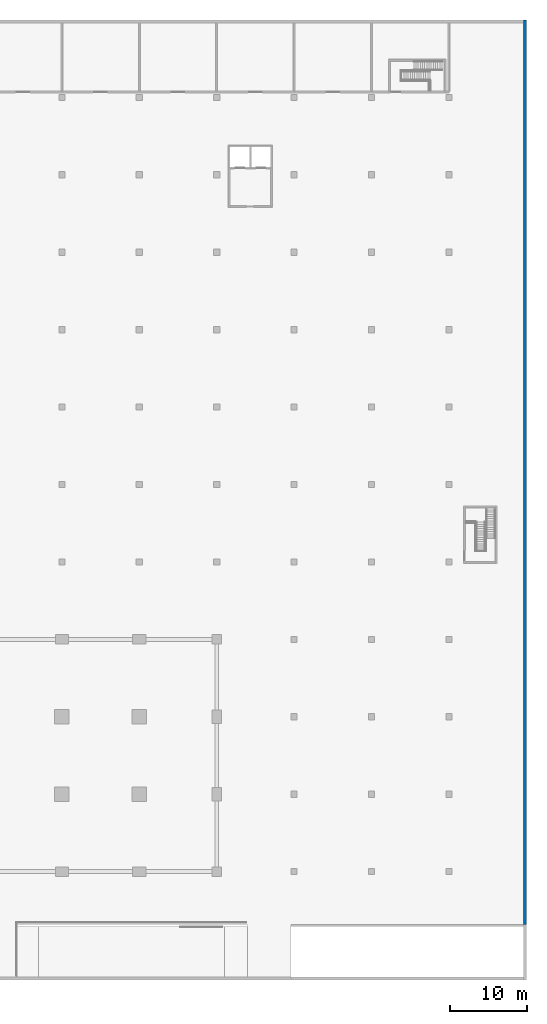
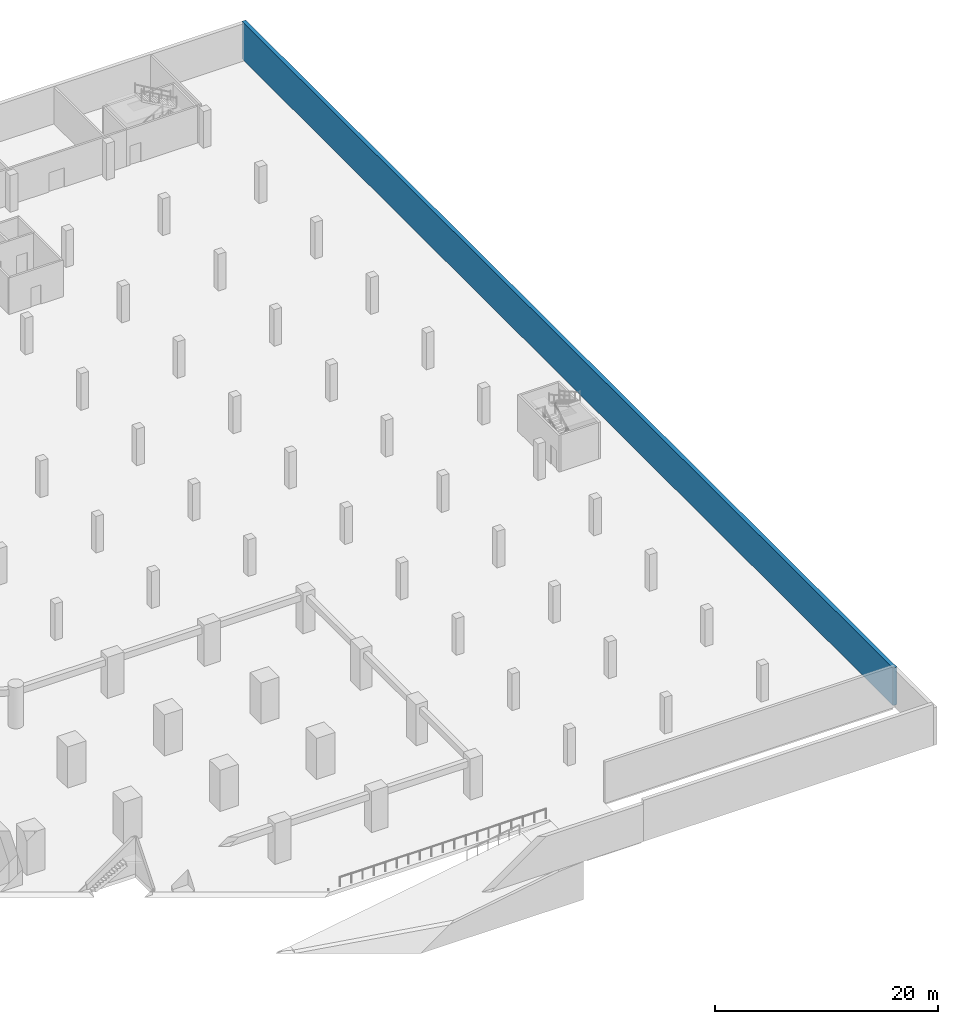
# One storey, part 11 of 19: 1 wall.
"""IFC4 building model written with IfcOpenShell, lengths in metres."""

from ifc_helpers import new_model, si_unit, direction, frame, frame_2d, origin, place, context, subcontext, project, spatial, rectangle, extrude, material, layer, layer_set, type_object, element, save


model = new_model("IFC4")

# Units and contexts
model_context = context("Model", 3, precision=1e-05, world=origin(), true_north=direction((0.0, 1.0)))
body_context = subcontext(model_context, "Body", "Model", "MODEL_VIEW")
ifc_project = project(units=[si_unit("LENGTHUNIT", "METRE"), si_unit("AREAUNIT", "SQUARE_METRE"), si_unit("VOLUMEUNIT", "CUBIC_METRE"), si_unit("PLANEANGLEUNIT", "RADIAN"), si_unit("MASSUNIT", "GRAM", prefix="KILO")], contexts=[model_context])

# Site, building, storey
site_placement = place(None, origin())
site = spatial("IfcSite", under=ifc_project, at=site_placement, CompositionType="ELEMENT")
building_placement = place(site_placement, origin())
building = spatial("IfcBuilding", under=site, at=building_placement, Name="Qaws Garden Tower", CompositionType="ELEMENT")
storey_placement = place(building_placement, frame((0.0, 0.0, -4.5)))
storey = spatial("IfcBuildingStorey", under=building, at=storey_placement, Name="B1", CompositionType="ELEMENT", Elevation=-4.5)

# Wall
ifc_material = material(Name="Concrete C45", Category="concrete")
ifc_layer = layer(ifc_material, 0.39990234375)
ifc_layer_set = layer_set([ifc_layer], Name="Concrete C45")
wall_type = type_object("IfcWallType", Name="Retaining wall 400", PredefinedType="SOLIDWALL", material=ifc_layer_set)
wall_placement = place(storey_placement, frame((109.800048828125, -6.800048828125, 0.0), z_axis=(0.0, 0.0, 1.0), x_axis=(0.0, 1.0, 0.0)))
element("IfcWall", 1, at=wall_placement, inside=storey, type_object=wall_type, Name="Retaining wall E B1", PredefinedType="SOLIDWALL", context=body_context, shape_type="SweptSolid", body=[
    extrude(rectangle(XDim=116.800048828125, YDim=0.39990234375, at=frame_2d((58.39990234375, 0.0))), origin(), (0.0, 0.0, 1.0), 4.10009765625),
])

save(model, "model.ifc")
